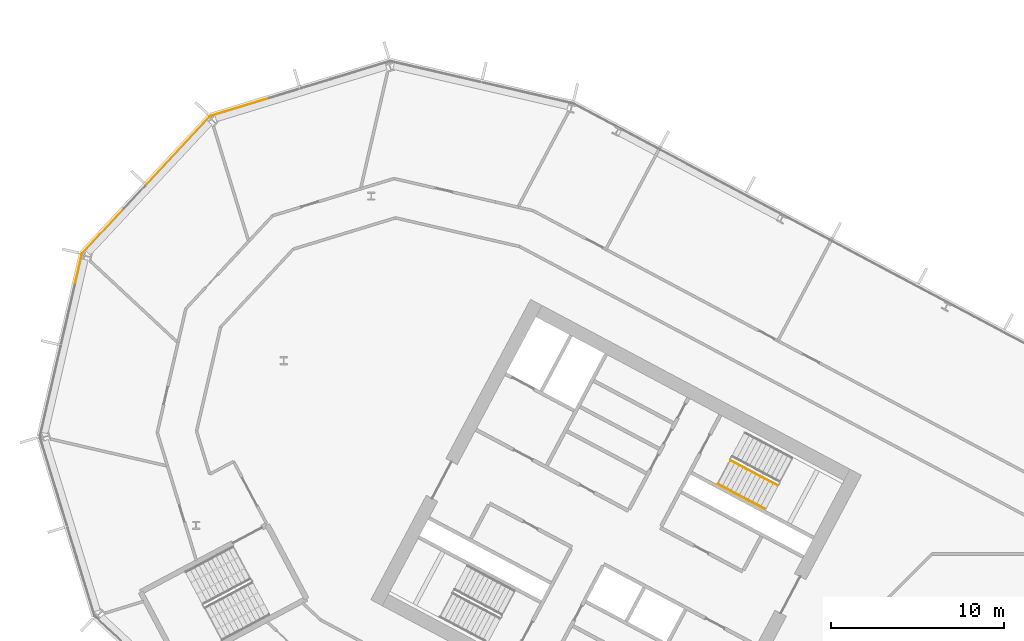
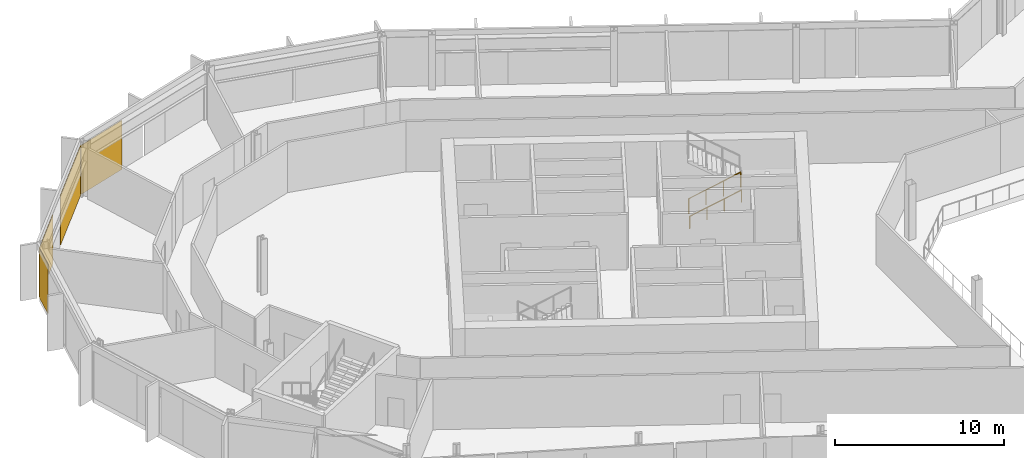
# One storey, part 22 of 28: 4 coverings, 2 railings, 3 elements without a shape of their own.
"""IFC4 building model written with IfcOpenShell, lengths in metres."""

from ifc_helpers import new_model, si_unit, direction, frame, origin, origin_2d, place, context, subcontext, project, spatial, polyline, rectangle, outline, extrude, material, layer, layer_set, type_object, element, aggregate, save


model = new_model("IFC4")

# Units and contexts
model_context = context("Model", 3, precision=1e-05, world=origin(), true_north=direction((0.0, 1.0)))
body_context = subcontext(model_context, "Body", "Model", "MODEL_VIEW")
ifc_project = project(units=[si_unit("LENGTHUNIT", "METRE"), si_unit("AREAUNIT", "SQUARE_METRE"), si_unit("VOLUMEUNIT", "CUBIC_METRE"), si_unit("PLANEANGLEUNIT", "RADIAN"), si_unit("MASSUNIT", "GRAM", prefix="KILO")], contexts=[model_context])

# Site, building, storey
site_placement = place(None, origin())
site = spatial("IfcSite", under=ifc_project, at=site_placement, CompositionType="ELEMENT")
building_placement = place(site_placement, origin())
building = spatial("IfcBuilding", under=site, at=building_placement, Name="Cormorant Relay Tower", CompositionType="ELEMENT")
storey_placement = place(building_placement, frame((0.0, 0.0, 154.199951171875)))
storey = spatial("IfcBuildingStorey", under=building, at=storey_placement, Name="L32", CompositionType="ELEMENT", Elevation=154.199951171875)

# Curtain wall, covering
ifc_material_1 = material(Name="Aluminium 6063-T6 anodised bronze", Category="aluminium")
ifc_layer_1 = layer(ifc_material_1, 0.199951171875)
ifc_layer_set_1 = layer_set([ifc_layer_1], Name="CW1 unitised bronze curtain wall with vertical fins")
curtain_wall_type = type_object("IfcCurtainWallType", Name="CW1 unitised bronze curtain wall with vertical fins", PredefinedType="NOTDEFINED", material=ifc_layer_set_1)
curtain_wall_1_placement = place(storey_placement, origin())
curtain_wall_1 = element("IfcCurtainWall", 1, at=curtain_wall_1_placement, inside=storey, type_object=curtain_wall_type, Name="CW1 curtain wall 11", PredefinedType="NOTDEFINED")
ifc_material_2 = material(Name="Pale bronze anodised aluminium insulated panel", Category="aluminium")
ifc_layer_2 = layer(ifc_material_2, 0.0400390625)
ifc_layer_set_2 = layer_set([ifc_layer_2], Name="CW1 pale bronze insulated panel 40")
covering_type = type_object("IfcCoveringType", Name="CW1 pale bronze insulated panel 40", PredefinedType="CLADDING", material=ifc_layer_set_2)
covering_1_placement = place(storey_placement, frame((-49.16455078125, 39.474853515625, 0.0), z_axis=(0.0, 0.0, 1.0), x_axis=(-0.956304755963, -0.292371704723, 0.0)))
covering_1 = element("IfcCovering", 2, at=covering_1_placement, type_object=covering_type, Name="CW1 panel S03", PredefinedType="CLADDING", context=body_context, shape_type="SweptSolid", body=[
    extrude(rectangle(XDim=3.560302734375, YDim=0.0400390625, at=origin_2d()), origin(), (0.0, 0.0, 1.0), 3.550048828125),
])
aggregate(curtain_wall_1, [covering_1])

# Curtain wall, coverings
curtain_wall_2_placement = place(storey_placement, origin())
curtain_wall_2 = element("IfcCurtainWall", 3, at=curtain_wall_2_placement, inside=storey, type_object=curtain_wall_type, Name="CW1 curtain wall 12", PredefinedType="NOTDEFINED")
covering_2_placement = place(storey_placement, frame((-52.72900390625, 36.961181640625, 0.0), z_axis=(0.0, 0.0, 1.0), x_axis=(-0.681998360062, -0.731353701619, 0.0)))
covering_2 = element("IfcCovering", 4, at=covering_2_placement, type_object=covering_type, Name="CW1 panel S00", PredefinedType="CLADDING", context=body_context, shape_type="SweptSolid", body=[
    extrude(rectangle(XDim=5.28515625, YDim=0.0400390625, at=origin_2d()), origin(), (0.0, 0.0, 1.0), 3.550048828125),
])
covering_3_placement = place(storey_placement, frame((-57.0751953125, 32.300537109375, 0.0), z_axis=(0.0, 0.0, 1.0), x_axis=(-0.681998360062, -0.731353701619, 0.0)))
covering_3 = element("IfcCovering", 5, at=covering_3_placement, type_object=covering_type, Name="CW1 panel S02", PredefinedType="CLADDING", context=body_context, shape_type="SweptSolid", body=[
    extrude(rectangle(XDim=3.560302734375, YDim=0.0400390625, at=origin_2d()), origin(), (0.0, 0.0, 1.0), 3.550048828125),
])
aggregate(curtain_wall_2, [covering_2, covering_3])

# Curtain wall, covering
curtain_wall_3_placement = place(storey_placement, origin())
curtain_wall_3 = element("IfcCurtainWall", 6, at=curtain_wall_3_placement, inside=storey, type_object=curtain_wall_type, Name="CW1 curtain wall 13", PredefinedType="NOTDEFINED")
covering_4_placement = place(storey_placement, frame((-58.50048828125, 30.095458984375, 0.0), z_axis=(0.0, 0.0, 1.0), x_axis=(-0.224951054344, -0.974370064785, 0.0)))
covering_4 = element("IfcCovering", 7, at=covering_4_placement, type_object=covering_type, Name="CW1 panel S00", PredefinedType="CLADDING", context=body_context, shape_type="SweptSolid", body=[
    extrude(rectangle(XDim=1.685302734375, YDim=0.0400390625, at=origin_2d()), origin(), (0.0, 0.0, 1.0), 3.550048828125),
])
aggregate(curtain_wall_3, [covering_4])

# Railings
ifc_material_3 = material(Name="Steel ASTM A572 Grade 50 (Fy 345 MPa)", Category="steel")
railing_type_1 = type_object("IfcRailingType", Name="Stair guard 1100", PredefinedType="GUARDRAIL", material=ifc_material_3)
railing_1_placement = place(storey_placement, frame((-20.75048828125, 19.017822265625, 0.166748046875)))
element("IfcRailing", 8, at=railing_1_placement, inside=storey, type_object=railing_type_1, Name="L32 A1 stair guard 1", PredefinedType="GUARDRAIL", context=body_context, shape_type="SweptSolid", body=[
    extrude(outline(polyline([(0.022216796875, 0.00927734375), (0.00927734375, 0.022216796875), (-0.00927734375, 0.022216796875), (-0.022216796875, 0.00927734375), (-0.022216796875, -0.00927734375), (-0.00927734375, -0.022216796875), (0.00927734375, -0.022216796875), (0.022216796875, -0.00927734375), (0.022216796875, 0.00927734375)])), frame((0.0, 0.0, 1.076171875), z_axis=(0.758734504837, -0.403377838015, 0.511476559549), x_axis=(0.469427602063, 0.882970965786, 0.0)), (0.0, 0.0, 1.0), 3.584228515625),
    extrude(outline(polyline([(0.019287109375, 0.008056640625), (0.008056640625, 0.019287109375), (-0.008056640625, 0.019287109375), (-0.019287109375, 0.008056640625), (-0.019287109375, -0.008056640625), (-0.008056640625, -0.019287109375), (0.008056640625, -0.019287109375), (0.019287109375, -0.008056640625), (0.019287109375, 0.008056640625)])), origin(), (0.0, 0.0, 1.0), 1.052001953125),
    extrude(outline(polyline([(0.019287109375, 0.008056640625), (0.008056640625, 0.019287109375), (-0.008056640625, 0.019287109375), (-0.019287109375, 0.008056640625), (-0.019287109375, -0.008056640625), (-0.008056640625, -0.019287109375), (0.008056640625, -0.019287109375), (0.019287109375, -0.008056640625), (0.019287109375, 0.008056640625)])), frame((0.906494140625, -0.48193359375, 0.611083984375)), (0.0, 0.0, 1.0), 1.052001953125),
    extrude(outline(polyline([(0.019287109375, 0.008056640625), (0.008056640625, 0.019287109375), (-0.008056640625, 0.019287109375), (-0.019287109375, 0.008056640625), (-0.019287109375, -0.008056640625), (-0.008056640625, -0.019287109375), (0.008056640625, -0.019287109375), (0.019287109375, -0.008056640625), (0.019287109375, 0.008056640625)])), frame((1.81298828125, -0.9638671875, 1.22216796875)), (0.0, 0.0, 1.0), 1.052001953125),
    extrude(outline(polyline([(0.019287109375, 0.008056640625), (0.008056640625, 0.019287109375), (-0.008056640625, 0.019287109375), (-0.019287109375, 0.008056640625), (-0.019287109375, -0.008056640625), (-0.008056640625, -0.019287109375), (0.008056640625, -0.019287109375), (0.019287109375, -0.008056640625), (0.019287109375, 0.008056640625)])), frame((2.719482421875, -1.44580078125, 1.833251953125)), (0.0, 0.0, 1.0), 1.052001953125),
])
ifc_material_4 = material(Name="Steel ASTM A572 Grade 50 (Fy 345 MPa)", Category="steel")
railing_type_2 = type_object("IfcRailingType", Name="Stair handrail 900", PredefinedType="HANDRAIL", material=ifc_material_4)
railing_2_placement = place(storey_placement, frame((-21.478271484375, 17.6494140625, 0.166748046875)))
element("IfcRailing", 9, at=railing_2_placement, inside=storey, type_object=railing_type_2, Name="L32 A1 stair handrail 1", PredefinedType="HANDRAIL", context=body_context, shape_type="SweptSolid", body=[
    extrude(outline(polyline([(0.022216796875, 0.00927734375), (0.00927734375, 0.022216796875), (-0.00927734375, 0.022216796875), (-0.022216796875, 0.00927734375), (-0.022216796875, -0.00927734375), (-0.00927734375, -0.022216796875), (0.00927734375, -0.022216796875), (0.022216796875, -0.00927734375), (0.022216796875, 0.00927734375)])), frame((0.0, 0.0, 0.8759765625), z_axis=(0.758713656843, -0.403434867536, 0.511462505542), x_axis=(0.469489399267, 0.882938108802, 0.0)), (0.0, 0.0, 1.0), 3.584228515625),
    extrude(outline(polyline([(0.019287109375, 0.008056640625), (0.008056640625, 0.019287109375), (-0.008056640625, 0.019287109375), (-0.019287109375, 0.008056640625), (-0.019287109375, -0.008056640625), (-0.008056640625, -0.019287109375), (0.008056640625, -0.019287109375), (0.019287109375, -0.008056640625), (0.019287109375, 0.008056640625)])), origin(), (0.0, 0.0, 1.0), 0.851806640625),
    extrude(outline(polyline([(0.019287109375, 0.008056640625), (0.008056640625, 0.019287109375), (-0.008056640625, 0.019287109375), (-0.019287109375, 0.008056640625), (-0.019287109375, -0.008056640625), (-0.008056640625, -0.019287109375), (0.008056640625, -0.019287109375), (0.019287109375, -0.008056640625), (0.019287109375, 0.008056640625)])), frame((0.906494140625, -0.48193359375, 0.611083984375)), (0.0, 0.0, 1.0), 0.851806640625),
    extrude(outline(polyline([(0.019287109375, 0.008056640625), (0.008056640625, 0.019287109375), (-0.008056640625, 0.019287109375), (-0.019287109375, 0.008056640625), (-0.019287109375, -0.008056640625), (-0.008056640625, -0.019287109375), (0.008056640625, -0.019287109375), (0.019287109375, -0.008056640625), (0.019287109375, 0.008056640625)])), frame((1.81298828125, -0.964111328125, 1.22216796875)), (0.0, 0.0, 1.0), 0.851806640625),
    extrude(outline(polyline([(0.019287109375, 0.008056640625), (0.008056640625, 0.019287109375), (-0.008056640625, 0.019287109375), (-0.019287109375, 0.008056640625), (-0.019287109375, -0.008056640625), (-0.008056640625, -0.019287109375), (0.008056640625, -0.019287109375), (0.019287109375, -0.008056640625), (0.019287109375, 0.008056640625)])), frame((2.719482421875, -1.446044921875, 1.833251953125)), (0.0, 0.0, 1.0), 0.851806640625),
])

save(model, "model.ifc")
